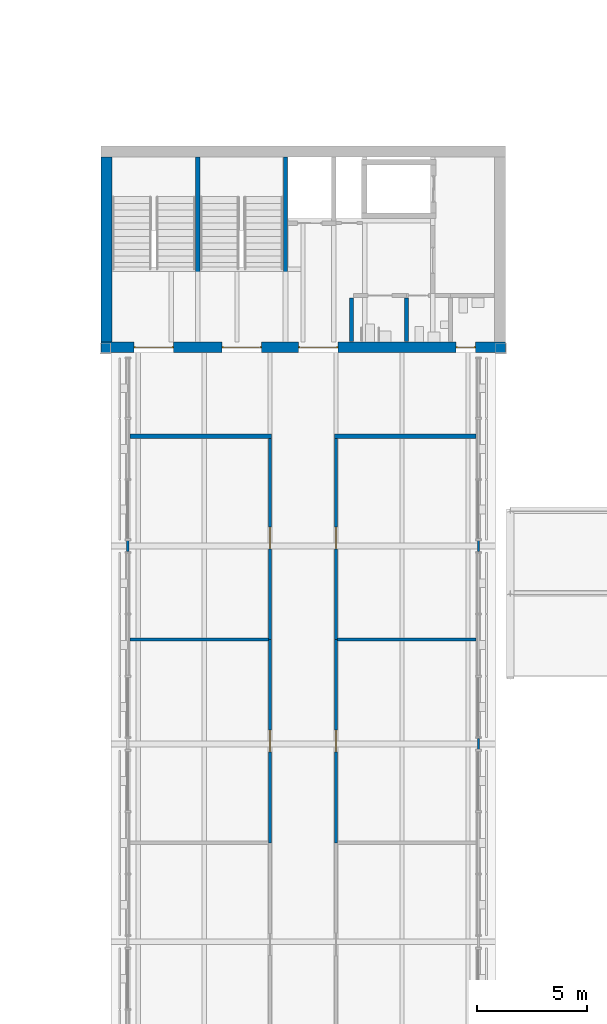
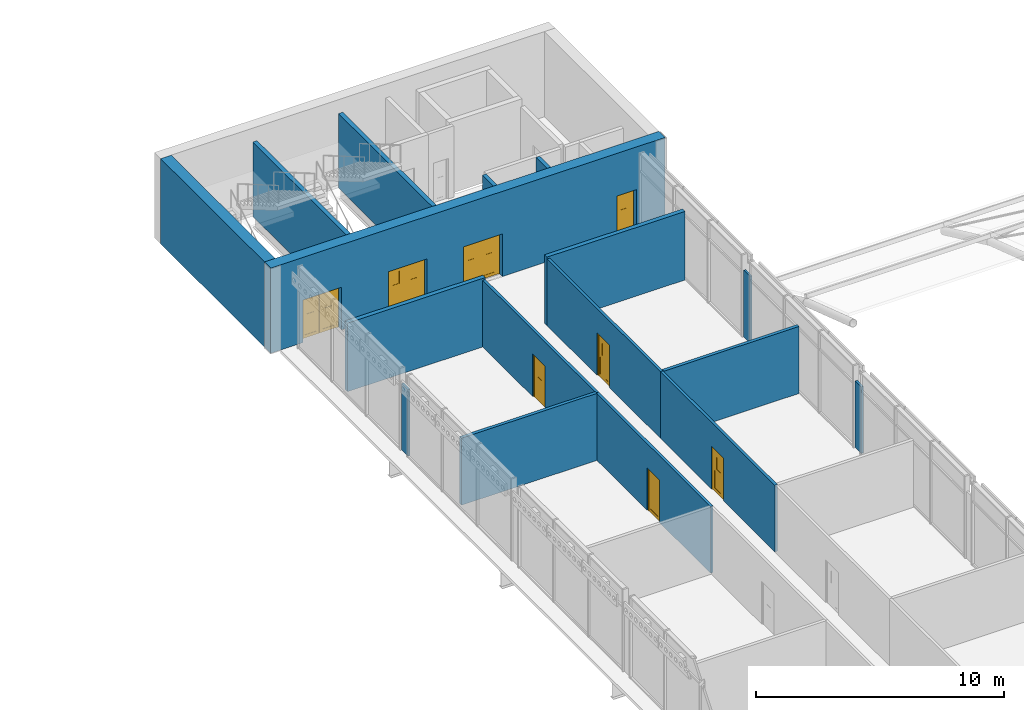
# One storey, part 24 of 54: 17 walls, 8 doors, 8 openings.
"""IFC4 building model written with IfcOpenShell, lengths in metres."""

from ifc_helpers import new_model, si_unit, direction, frame, frame_2d, origin, place, context, subcontext, project, spatial, polyline, rectangle, outline, extrude, material, layer, layer_set, type_object, element, fill, save


model = new_model("IFC4")

# Units and contexts
model_context = context("Model", 3, precision=1e-05, world=origin(), true_north=direction((0.0, 1.0)))
body_context = subcontext(model_context, "Body", "Model", "MODEL_VIEW")
ifc_project = project(units=[si_unit("LENGTHUNIT", "METRE"), si_unit("AREAUNIT", "SQUARE_METRE"), si_unit("VOLUMEUNIT", "CUBIC_METRE"), si_unit("PLANEANGLEUNIT", "RADIAN"), si_unit("MASSUNIT", "GRAM", prefix="KILO")], contexts=[model_context])

# Site, building, storey
site_placement = place(None, origin())
site = spatial("IfcSite", under=ifc_project, at=site_placement, CompositionType="ELEMENT")
building_placement = place(site_placement, origin())
building = spatial("IfcBuilding", under=site, at=building_placement, Name="Baradari Gate Terminus", CompositionType="ELEMENT")
storey_placement = place(building_placement, frame((0.0, 0.0, 15.89990234375)))
storey = spatial("IfcBuildingStorey", under=building, at=storey_placement, Name="L03", CompositionType="ELEMENT", Elevation=15.89990234375)

# Wall, openings, doors
ifc_material_1 = material(Name="Concrete C40/50", Category="concrete")
ifc_layer_1 = layer(ifc_material_1, 0.5)
ifc_layer_set_1 = layer_set([ifc_layer_1], Name="Concrete C40/50")
wall_type_1 = type_object("IfcWallType", Name="Abutment core wall CWL05 500", PredefinedType="SOLIDWALL", material=ifc_layer_set_1)
wall_1_placement = place(storey_placement, frame((71.800048828125, 81.050048828125, 0.0), z_axis=(0.0, 0.0, 1.0), x_axis=(1.0, 0.0, 0.0)))
wall_1 = element("IfcWall", 1, at=wall_1_placement, inside=storey, type_object=wall_type_1, Name="Abutment core wall GN S L03", PredefinedType="SOLIDWALL", context=body_context, shape_type="SweptSolid", body=[
    extrude(rectangle(XDim=18.39990234375, YDim=0.5, at=frame_2d((9.199951171875, 0.0))), origin(), (0.0, 0.0, 1.0), 4.2001953125),
])
opening_1_placement = place(wall_1_placement, frame((1.5, 0.0, 0.0)))
opening_1 = element("IfcOpeningElement", 2, at=opening_1_placement, cuts=wall_1, Name="Opening D03-027", PredefinedType="OPENING", context=body_context, shape_type="SweptSolid", body=[
    extrude(rectangle(XDim=1.800048828125, YDim=2.10009765625, at=frame_2d((0.89990234375, 1.050048828125))), frame((0.0, 0.260009765625, 0.0), z_axis=(0.0, -1.0, 0.0), x_axis=(1.0, 0.0, 0.0)), (0.0, 0.0, 1.0), 0.52001953125),
])
opening_2_placement = place(wall_1_placement, frame((5.5, 0.0, 0.0)))
opening_2 = element("IfcOpeningElement", 3, at=opening_2_placement, cuts=wall_1, Name="Opening D03-028", PredefinedType="OPENING", context=body_context, shape_type="SweptSolid", body=[
    extrude(rectangle(XDim=1.800048828125, YDim=2.10009765625, at=frame_2d((0.89990234375, 1.050048828125))), frame((0.0, 0.260009765625, 0.0), z_axis=(0.0, -1.0, 0.0), x_axis=(1.0, 0.0, 0.0)), (0.0, 0.0, 1.0), 0.52001953125),
])
opening_3_placement = place(wall_1_placement, frame((9.0, 0.0, 0.0)))
opening_3 = element("IfcOpeningElement", 4, at=opening_3_placement, cuts=wall_1, Name="Opening D03-029", PredefinedType="OPENING", context=body_context, shape_type="SweptSolid", body=[
    extrude(rectangle(XDim=1.800048828125, YDim=2.10009765625, at=frame_2d((0.89990234375, 1.050048828125))), frame((0.0, 0.260009765625, 0.0), z_axis=(0.0, -1.0, 0.0), x_axis=(1.0, 0.0, 0.0)), (0.0, 0.0, 1.0), 0.52001953125),
])
opening_4_placement = place(wall_1_placement, frame((16.14990234375, 0.0, 0.0)))
opening_4 = element("IfcOpeningElement", 5, at=opening_4_placement, cuts=wall_1, Name="Opening D03-034", PredefinedType="OPENING", context=body_context, shape_type="SweptSolid", body=[
    extrude(rectangle(XDim=0.89990234375, YDim=2.10009765625, at=frame_2d((0.449951171875, 1.050048828125))), frame((0.0, 0.260009765625, 0.0), z_axis=(0.0, -1.0, 0.0), x_axis=(1.0, 0.0, 0.0)), (0.0, 0.0, 1.0), 0.52001953125),
])
ifc_material_2 = material(Name="Steel S275", Category="steel")
door_type_1 = type_object("IfcDoorType", Name="Fire door FI-1800-FD90S 1800x2100 FD90S", OperationType="DOUBLE_DOOR_SINGLE_SWING", PredefinedType="DOOR", material=ifc_material_2)
door_1_placement = place(opening_1_placement, origin())
door_1 = element("IfcDoor", 6, at=door_1_placement, inside=storey, type_object=door_type_1, Name="Door Stair (Gate North) 1", OperationType="DOUBLE_DOOR_SINGLE_SWING", OverallHeight=2.1, OverallWidth=1.8, PredefinedType="DOOR", context=body_context, shape_type="SweptSolid", body=[
    extrude(outline(polyline([(0.0, 0.0), (0.070068359375, 0.0), (0.070068359375, 2.030029296875), (1.72998046875, 2.030029296875), (1.72998046875, 0.0), (1.800048828125, 0.0), (1.800048828125, 2.10009765625), (0.0, 2.10009765625), (0.0, 0.0)])), frame((0.0, 0.02490234375, 0.0), z_axis=(0.0, -1.0, 0.0), x_axis=(1.0, 0.0, 0.0)), (0.0, 0.0, 1.0), 0.050048828125),
    extrude(outline(polyline([(0.073974609375, 0.010009765625), (0.89697265625, 0.010009765625), (0.89697265625, 2.026123046875), (0.073974609375, 2.026123046875), (0.073974609375, 0.010009765625)]), holes=[polyline([(0.194091796875, 0.159912109375), (0.77685546875, 0.159912109375), (0.77685546875, 1.010009765625), (0.194091796875, 1.010009765625), (0.194091796875, 0.159912109375)]), polyline([(0.33544921875, 1.159912109375), (0.635498046875, 1.159912109375), (0.635498046875, 1.760009765625), (0.33544921875, 1.760009765625), (0.33544921875, 1.159912109375)])]), frame((0.0, 0.017333984375, 0.0), z_axis=(0.0, -1.0, 0.0), x_axis=(1.0, 0.0, 0.0)), (0.0, 0.0, 1.0), 0.034912109375),
    extrude(rectangle(XDim=0.582763671875, YDim=0.85009765625, at=frame_2d((0.4853515625, 0.5849609375))), frame((0.0, 0.008544921875, 0.0), z_axis=(0.0, -1.0, 0.0), x_axis=(1.0, 0.0, 0.0)), (0.0, 0.0, 1.0), 0.017333984375),
    extrude(rectangle(XDim=0.300048828125, YDim=0.60009765625, at=frame_2d((0.4853515625, 1.4599609375))), frame((0.0, 0.005859375, 0.0), z_axis=(0.0, -1.0, 0.0), x_axis=(1.0, 0.0, 0.0)), (0.0, 0.0, 1.0), 0.011962890625),
    extrude(outline(polyline([(0.903076171875, 0.010009765625), (1.72607421875, 0.010009765625), (1.72607421875, 2.026123046875), (0.903076171875, 2.026123046875), (0.903076171875, 0.010009765625)]), holes=[polyline([(1.023193359375, 0.159912109375), (1.60595703125, 0.159912109375), (1.60595703125, 1.010009765625), (1.023193359375, 1.010009765625), (1.023193359375, 0.159912109375)]), polyline([(1.16455078125, 1.159912109375), (1.464599609375, 1.159912109375), (1.464599609375, 1.760009765625), (1.16455078125, 1.760009765625), (1.16455078125, 1.159912109375)])]), frame((0.0, 0.017333984375, 0.0), z_axis=(0.0, -1.0, 0.0), x_axis=(1.0, 0.0, 0.0)), (0.0, 0.0, 1.0), 0.034912109375),
    extrude(rectangle(XDim=0.582763671875, YDim=0.85009765625, at=frame_2d((1.314453125, 0.5849609375))), frame((0.0, 0.008544921875, 0.0), z_axis=(0.0, -1.0, 0.0), x_axis=(1.0, 0.0, 0.0)), (0.0, 0.0, 1.0), 0.017333984375),
    extrude(rectangle(XDim=0.300048828125, YDim=0.60009765625, at=frame_2d((1.314453125, 1.4599609375))), frame((0.0, 0.005859375, 0.0), z_axis=(0.0, -1.0, 0.0), x_axis=(1.0, 0.0, 0.0)), (0.0, 0.0, 1.0), 0.011962890625),
])
fill(opening_1, door_1)
door_2_placement = place(opening_2_placement, origin())
door_2 = element("IfcDoor", 7, at=door_2_placement, inside=storey, type_object=door_type_1, Name="Door Stair (Gate North) 2", OperationType="DOUBLE_DOOR_SINGLE_SWING", OverallHeight=2.1, OverallWidth=1.8, PredefinedType="DOOR", context=body_context, shape_type="SweptSolid", body=[
    extrude(outline(polyline([(0.0, 0.0), (0.070068359375, 0.0), (0.070068359375, 2.030029296875), (1.72998046875, 2.030029296875), (1.72998046875, 0.0), (1.800048828125, 0.0), (1.800048828125, 2.10009765625), (0.0, 2.10009765625), (0.0, 0.0)])), frame((0.0, 0.02490234375, 0.0), z_axis=(0.0, -1.0, 0.0), x_axis=(1.0, 0.0, 0.0)), (0.0, 0.0, 1.0), 0.050048828125),
    extrude(outline(polyline([(0.073974609375, 0.010009765625), (0.89697265625, 0.010009765625), (0.89697265625, 2.026123046875), (0.073974609375, 2.026123046875), (0.073974609375, 0.010009765625)]), holes=[polyline([(0.194091796875, 0.159912109375), (0.77685546875, 0.159912109375), (0.77685546875, 1.010009765625), (0.194091796875, 1.010009765625), (0.194091796875, 0.159912109375)]), polyline([(0.33544921875, 1.159912109375), (0.635498046875, 1.159912109375), (0.635498046875, 1.760009765625), (0.33544921875, 1.760009765625), (0.33544921875, 1.159912109375)])]), frame((0.0, 0.017333984375, 0.0), z_axis=(0.0, -1.0, 0.0), x_axis=(1.0, 0.0, 0.0)), (0.0, 0.0, 1.0), 0.034912109375),
    extrude(rectangle(XDim=0.582763671875, YDim=0.85009765625, at=frame_2d((0.4853515625, 0.5849609375))), frame((0.0, 0.008544921875, 0.0), z_axis=(0.0, -1.0, 0.0), x_axis=(1.0, 0.0, 0.0)), (0.0, 0.0, 1.0), 0.017333984375),
    extrude(rectangle(XDim=0.300048828125, YDim=0.60009765625, at=frame_2d((0.4853515625, 1.4599609375))), frame((0.0, 0.005859375, 0.0), z_axis=(0.0, -1.0, 0.0), x_axis=(1.0, 0.0, 0.0)), (0.0, 0.0, 1.0), 0.011962890625),
    extrude(outline(polyline([(0.903076171875, 0.010009765625), (1.72607421875, 0.010009765625), (1.72607421875, 2.026123046875), (0.903076171875, 2.026123046875), (0.903076171875, 0.010009765625)]), holes=[polyline([(1.023193359375, 0.159912109375), (1.60595703125, 0.159912109375), (1.60595703125, 1.010009765625), (1.023193359375, 1.010009765625), (1.023193359375, 0.159912109375)]), polyline([(1.16455078125, 1.159912109375), (1.464599609375, 1.159912109375), (1.464599609375, 1.760009765625), (1.16455078125, 1.760009765625), (1.16455078125, 1.159912109375)])]), frame((0.0, 0.017333984375, 0.0), z_axis=(0.0, -1.0, 0.0), x_axis=(1.0, 0.0, 0.0)), (0.0, 0.0, 1.0), 0.034912109375),
    extrude(rectangle(XDim=0.582763671875, YDim=0.85009765625, at=frame_2d((1.314453125, 0.5849609375))), frame((0.0, 0.008544921875, 0.0), z_axis=(0.0, -1.0, 0.0), x_axis=(1.0, 0.0, 0.0)), (0.0, 0.0, 1.0), 0.017333984375),
    extrude(rectangle(XDim=0.300048828125, YDim=0.60009765625, at=frame_2d((1.314453125, 1.4599609375))), frame((0.0, 0.005859375, 0.0), z_axis=(0.0, -1.0, 0.0), x_axis=(1.0, 0.0, 0.0)), (0.0, 0.0, 1.0), 0.011962890625),
])
fill(opening_2, door_2)
door_3_placement = place(opening_3_placement, origin())
door_3 = element("IfcDoor", 8, at=door_3_placement, inside=storey, type_object=door_type_1, Name="Door Lift Lobby", OperationType="DOUBLE_DOOR_SINGLE_SWING", OverallHeight=2.1, OverallWidth=1.8, PredefinedType="DOOR", context=body_context, shape_type="SweptSolid", body=[
    extrude(outline(polyline([(0.0, 0.0), (0.070068359375, 0.0), (0.070068359375, 2.030029296875), (1.72998046875, 2.030029296875), (1.72998046875, 0.0), (1.800048828125, 0.0), (1.800048828125, 2.10009765625), (0.0, 2.10009765625), (0.0, 0.0)])), frame((0.0, 0.02490234375, 0.0), z_axis=(0.0, -1.0, 0.0), x_axis=(1.0, 0.0, 0.0)), (0.0, 0.0, 1.0), 0.050048828125),
    extrude(outline(polyline([(0.073974609375, 0.010009765625), (0.89697265625, 0.010009765625), (0.89697265625, 2.026123046875), (0.073974609375, 2.026123046875), (0.073974609375, 0.010009765625)]), holes=[polyline([(0.194091796875, 0.159912109375), (0.77685546875, 0.159912109375), (0.77685546875, 1.010009765625), (0.194091796875, 1.010009765625), (0.194091796875, 0.159912109375)]), polyline([(0.33544921875, 1.159912109375), (0.635498046875, 1.159912109375), (0.635498046875, 1.760009765625), (0.33544921875, 1.760009765625), (0.33544921875, 1.159912109375)])]), frame((0.0, 0.017333984375, 0.0), z_axis=(0.0, -1.0, 0.0), x_axis=(1.0, 0.0, 0.0)), (0.0, 0.0, 1.0), 0.034912109375),
    extrude(rectangle(XDim=0.582763671875, YDim=0.85009765625, at=frame_2d((0.4853515625, 0.5849609375))), frame((0.0, 0.008544921875, 0.0), z_axis=(0.0, -1.0, 0.0), x_axis=(1.0, 0.0, 0.0)), (0.0, 0.0, 1.0), 0.017333984375),
    extrude(rectangle(XDim=0.300048828125, YDim=0.60009765625, at=frame_2d((0.4853515625, 1.4599609375))), frame((0.0, 0.005859375, 0.0), z_axis=(0.0, -1.0, 0.0), x_axis=(1.0, 0.0, 0.0)), (0.0, 0.0, 1.0), 0.011962890625),
    extrude(outline(polyline([(0.903076171875, 0.010009765625), (1.72607421875, 0.010009765625), (1.72607421875, 2.026123046875), (0.903076171875, 2.026123046875), (0.903076171875, 0.010009765625)]), holes=[polyline([(1.023193359375, 0.159912109375), (1.60595703125, 0.159912109375), (1.60595703125, 1.010009765625), (1.023193359375, 1.010009765625), (1.023193359375, 0.159912109375)]), polyline([(1.16455078125, 1.159912109375), (1.464599609375, 1.159912109375), (1.464599609375, 1.760009765625), (1.16455078125, 1.760009765625), (1.16455078125, 1.159912109375)])]), frame((0.0, 0.017333984375, 0.0), z_axis=(0.0, -1.0, 0.0), x_axis=(1.0, 0.0, 0.0)), (0.0, 0.0, 1.0), 0.034912109375),
    extrude(rectangle(XDim=0.582763671875, YDim=0.85009765625, at=frame_2d((1.314453125, 0.5849609375))), frame((0.0, 0.008544921875, 0.0), z_axis=(0.0, -1.0, 0.0), x_axis=(1.0, 0.0, 0.0)), (0.0, 0.0, 1.0), 0.017333984375),
    extrude(rectangle(XDim=0.300048828125, YDim=0.60009765625, at=frame_2d((1.314453125, 1.4599609375))), frame((0.0, 0.005859375, 0.0), z_axis=(0.0, -1.0, 0.0), x_axis=(1.0, 0.0, 0.0)), (0.0, 0.0, 1.0), 0.011962890625),
])
fill(opening_3, door_3)
ifc_material_3 = material(Name="Steel S275", Category="steel")
door_type_2 = type_object("IfcDoorType", Name="Fire door FI-900-FD90S 900x2100 FD90S", OperationType="SINGLE_SWING_LEFT", PredefinedType="DOOR", material=ifc_material_3)
door_4_placement = place(opening_4_placement, origin())
door_4 = element("IfcDoor", 9, at=door_4_placement, inside=storey, type_object=door_type_2, Name="Door Female WC", OperationType="SINGLE_SWING_LEFT", OverallHeight=2.1, OverallWidth=0.9, PredefinedType="DOOR", context=body_context, shape_type="SweptSolid", body=[
    extrude(outline(polyline([(0.0, 0.0), (0.070068359375, 0.0), (0.070068359375, 2.030029296875), (0.829833984375, 2.030029296875), (0.829833984375, 0.0), (0.89990234375, 0.0), (0.89990234375, 2.10009765625), (0.0, 2.10009765625), (0.0, 0.0)])), frame((0.0, 0.02490234375, 0.0), z_axis=(0.0, -1.0, 0.0), x_axis=(1.0, 0.0, 0.0)), (0.0, 0.0, 1.0), 0.050048828125),
    extrude(outline(polyline([(0.073974609375, 0.010009765625), (0.825927734375, 0.010009765625), (0.825927734375, 2.026123046875), (0.073974609375, 2.026123046875), (0.073974609375, 0.010009765625)]), holes=[polyline([(0.194091796875, 0.159912109375), (0.705810546875, 0.159912109375), (0.705810546875, 1.010009765625), (0.194091796875, 1.010009765625), (0.194091796875, 0.159912109375)]), polyline([(0.300048828125, 1.159912109375), (0.599853515625, 1.159912109375), (0.599853515625, 1.760009765625), (0.300048828125, 1.760009765625), (0.300048828125, 1.159912109375)])]), frame((0.0, 0.017333984375, 0.0), z_axis=(0.0, -1.0, 0.0), x_axis=(1.0, 0.0, 0.0)), (0.0, 0.0, 1.0), 0.034912109375),
    extrude(rectangle(XDim=0.51171875, YDim=0.85009765625, at=frame_2d((0.449951171875, 0.5849609375))), frame((0.0, 0.008544921875, 0.0), z_axis=(0.0, -1.0, 0.0), x_axis=(1.0, 0.0, 0.0)), (0.0, 0.0, 1.0), 0.017333984375),
    extrude(rectangle(XDim=0.2998046875, YDim=0.60009765625, at=frame_2d((0.449951171875, 1.4599609375))), frame((0.0, 0.005859375, 0.0), z_axis=(0.0, -1.0, 0.0), x_axis=(1.0, 0.0, 0.0)), (0.0, 0.0, 1.0), 0.011962890625),
])
fill(opening_4, door_4)

# Wall
wall_2_placement = place(storey_placement, frame((72.050048828125, 81.300048828125, 0.0), z_axis=(0.0, 0.0, 1.0), x_axis=(0.0, 1.0, 0.0)))
element("IfcWall", 10, at=wall_2_placement, inside=storey, type_object=wall_type_1, Name="Abutment core wall GN W L03", PredefinedType="SOLIDWALL", context=body_context, shape_type="SweptSolid", body=[
    extrude(rectangle(XDim=8.39990234375, YDim=0.5, at=frame_2d((4.199951171875, 0.0))), origin(), (0.0, 0.0, 1.0), 4.2001953125),
])

# Wall, opening, door
ifc_material_4 = material(Name="Gypsum board")
ifc_layer_2 = layer(ifc_material_4, 0.125)
ifc_layer_set_2 = layer_set([ifc_layer_2], Name="Gypsum board")
wall_type_2 = type_object("IfcWallType", Name="Corridor partition PT-5 125 EI 30", PredefinedType="PARTITIONING", material=ifc_layer_set_2)
wall_3_placement = place(storey_placement, frame((79.5, 58.5, 0.0), z_axis=(0.0, 0.0, 1.0), x_axis=(0.0, 1.0, 0.0)))
wall_3 = element("IfcWall", 11, at=wall_3_placement, inside=storey, type_object=wall_type_2, Name="PT-5 partition Corridor (Gate Spine) / Gate Office 3.03", PredefinedType="PARTITIONING", context=body_context, shape_type="SweptSolid", body=[
    extrude(rectangle(XDim=9.25, YDim=0.125, at=frame_2d((4.625, 0.0))), origin(), (0.0, 0.0, 1.0), 3.287109375),
])
opening_5_placement = place(wall_3_placement, frame((4.125, 0.0, 0.0)))
opening_5 = element("IfcOpeningElement", 12, at=opening_5_placement, cuts=wall_3, Name="Opening D03-045", PredefinedType="OPENING", context=body_context, shape_type="SweptSolid", body=[
    extrude(rectangle(XDim=1.0, YDim=2.10009765625, at=frame_2d((0.5, 1.050048828125))), frame((0.0, 0.072509765625, 0.0), z_axis=(0.0, -1.0, 0.0), x_axis=(1.0, 0.0, 0.0)), (0.0, 0.0, 1.0), 0.14501953125),
])
ifc_material_5 = material(Name="Steel S275", Category="steel")
door_type_3 = type_object("IfcDoorType", Name="Fire door FI-1000-FD30S 1000x2100 FD30S", OperationType="SINGLE_SWING_LEFT", PredefinedType="DOOR", material=ifc_material_5)
door_5_placement = place(opening_5_placement, origin())
door_5 = element("IfcDoor", 13, at=door_5_placement, inside=storey, type_object=door_type_3, Name="Door Gate Office 3.03", OperationType="SINGLE_SWING_LEFT", OverallHeight=2.1, OverallWidth=1.0, PredefinedType="DOOR", context=body_context, shape_type="SweptSolid", body=[
    extrude(outline(polyline([(0.0, 0.0), (0.070068359375, 0.0), (0.070068359375, 2.030029296875), (0.929931640625, 2.030029296875), (0.929931640625, 0.0), (1.0, 0.0), (1.0, 2.10009765625), (0.0, 2.10009765625), (0.0, 0.0)])), frame((0.0, 0.02490234375, 0.0), z_axis=(0.0, -1.0, 0.0), x_axis=(1.0, 0.0, 0.0)), (0.0, 0.0, 1.0), 0.050048828125),
    extrude(outline(polyline([(0.073974609375, 0.010009765625), (0.926025390625, 0.010009765625), (0.926025390625, 2.026123046875), (0.073974609375, 2.026123046875), (0.073974609375, 0.010009765625)]), holes=[polyline([(0.194091796875, 0.159912109375), (0.805908203125, 0.159912109375), (0.805908203125, 1.010009765625), (0.194091796875, 1.010009765625), (0.194091796875, 0.159912109375)]), polyline([(0.35009765625, 1.159912109375), (0.64990234375, 1.159912109375), (0.64990234375, 1.760009765625), (0.35009765625, 1.760009765625), (0.35009765625, 1.159912109375)])]), frame((0.0, 0.017333984375, 0.0), z_axis=(0.0, -1.0, 0.0), x_axis=(1.0, 0.0, 0.0)), (0.0, 0.0, 1.0), 0.034912109375),
    extrude(rectangle(XDim=0.61181640625, YDim=0.85009765625, at=frame_2d((0.5, 0.5849609375))), frame((0.0, 0.008544921875, 0.0), z_axis=(0.0, -1.0, 0.0), x_axis=(1.0, 0.0, 0.0)), (0.0, 0.0, 1.0), 0.017333984375),
    extrude(rectangle(XDim=0.2998046875, YDim=0.60009765625, at=frame_2d((0.5, 1.4599609375))), frame((0.0, 0.005859375, 0.0), z_axis=(0.0, -1.0, 0.0), x_axis=(1.0, 0.0, 0.0)), (0.0, 0.0, 1.0), 0.011962890625),
])
fill(opening_5, door_5)

wall_4_placement = place(storey_placement, frame((79.5, 67.75, 0.0), z_axis=(0.0, 0.0, 1.0), x_axis=(0.0, 1.0, 0.0)))
wall_4 = element("IfcWall", 14, at=wall_4_placement, inside=storey, type_object=wall_type_2, Name="PT-5 partition Corridor (Gate Spine) / Gate Office 3.04", PredefinedType="PARTITIONING", context=body_context, shape_type="SweptSolid", body=[
    extrude(rectangle(XDim=9.14990234375, YDim=0.125, at=frame_2d((4.574951171875, 0.0))), origin(), (0.0, 0.0, 1.0), 3.287109375),
])
opening_6_placement = place(wall_4_placement, frame((4.125, 0.0, 0.0)))
opening_6 = element("IfcOpeningElement", 15, at=opening_6_placement, cuts=wall_4, Name="Opening D03-046", PredefinedType="OPENING", context=body_context, shape_type="SweptSolid", body=[
    extrude(rectangle(XDim=1.0, YDim=2.10009765625, at=frame_2d((0.5, 1.050048828125))), frame((0.0, 0.072509765625, 0.0), z_axis=(0.0, -1.0, 0.0), x_axis=(1.0, 0.0, 0.0)), (0.0, 0.0, 1.0), 0.14501953125),
])
door_6_placement = place(opening_6_placement, origin())
door_6 = element("IfcDoor", 16, at=door_6_placement, inside=storey, type_object=door_type_3, Name="Door Gate Office 3.04", OperationType="SINGLE_SWING_LEFT", OverallHeight=2.1, OverallWidth=1.0, PredefinedType="DOOR", context=body_context, shape_type="SweptSolid", body=[
    extrude(outline(polyline([(0.0, 0.0), (0.070068359375, 0.0), (0.070068359375, 2.030029296875), (0.929931640625, 2.030029296875), (0.929931640625, 0.0), (1.0, 0.0), (1.0, 2.10009765625), (0.0, 2.10009765625), (0.0, 0.0)])), frame((0.0, 0.02490234375, 0.0), z_axis=(0.0, -1.0, 0.0), x_axis=(1.0, 0.0, 0.0)), (0.0, 0.0, 1.0), 0.050048828125),
    extrude(outline(polyline([(0.073974609375, 0.010009765625), (0.926025390625, 0.010009765625), (0.926025390625, 2.026123046875), (0.073974609375, 2.026123046875), (0.073974609375, 0.010009765625)]), holes=[polyline([(0.194091796875, 0.159912109375), (0.805908203125, 0.159912109375), (0.805908203125, 1.010009765625), (0.194091796875, 1.010009765625), (0.194091796875, 0.159912109375)]), polyline([(0.35009765625, 1.159912109375), (0.64990234375, 1.159912109375), (0.64990234375, 1.760009765625), (0.35009765625, 1.760009765625), (0.35009765625, 1.159912109375)])]), frame((0.0, 0.017333984375, 0.0), z_axis=(0.0, -1.0, 0.0), x_axis=(1.0, 0.0, 0.0)), (0.0, 0.0, 1.0), 0.034912109375),
    extrude(rectangle(XDim=0.61181640625, YDim=0.85009765625, at=frame_2d((0.5, 0.5849609375))), frame((0.0, 0.008544921875, 0.0), z_axis=(0.0, -1.0, 0.0), x_axis=(1.0, 0.0, 0.0)), (0.0, 0.0, 1.0), 0.017333984375),
    extrude(rectangle(XDim=0.2998046875, YDim=0.60009765625, at=frame_2d((0.5, 1.4599609375))), frame((0.0, 0.005859375, 0.0), z_axis=(0.0, -1.0, 0.0), x_axis=(1.0, 0.0, 0.0)), (0.0, 0.0, 1.0), 0.011962890625),
])
fill(opening_6, door_6)

wall_5_placement = place(storey_placement, frame((82.5, 67.75, 0.0), z_axis=(0.0, 0.0, 1.0), x_axis=(0.0, -1.0, 0.0)))
wall_5 = element("IfcWall", 17, at=wall_5_placement, inside=storey, type_object=wall_type_2, Name="PT-5 partition Corridor (Gate Spine) / Gate Office 3.07", PredefinedType="PARTITIONING", context=body_context, shape_type="SweptSolid", body=[
    extrude(rectangle(XDim=9.25, YDim=0.125, at=frame_2d((4.625, 0.0))), origin(), (0.0, 0.0, 1.0), 3.287109375),
])
opening_7_placement = place(wall_5_placement, frame((4.125, 0.0, 0.0)))
opening_7 = element("IfcOpeningElement", 18, at=opening_7_placement, cuts=wall_5, Name="Opening D03-049", PredefinedType="OPENING", context=body_context, shape_type="SweptSolid", body=[
    extrude(rectangle(XDim=1.0, YDim=2.10009765625, at=frame_2d((0.5, 1.050048828125))), frame((0.0, 0.072509765625, 0.0), z_axis=(0.0, -1.0, 0.0), x_axis=(1.0, 0.0, 0.0)), (0.0, 0.0, 1.0), 0.14501953125),
])
door_7_placement = place(opening_7_placement, origin())
door_7 = element("IfcDoor", 19, at=door_7_placement, inside=storey, type_object=door_type_3, Name="Door Gate Office 3.07", OperationType="SINGLE_SWING_LEFT", OverallHeight=2.1, OverallWidth=1.0, PredefinedType="DOOR", context=body_context, shape_type="SweptSolid", body=[
    extrude(outline(polyline([(0.0, 0.0), (0.070068359375, 0.0), (0.070068359375, 2.030029296875), (0.929931640625, 2.030029296875), (0.929931640625, 0.0), (1.0, 0.0), (1.0, 2.10009765625), (0.0, 2.10009765625), (0.0, 0.0)])), frame((0.0, 0.02490234375, 0.0), z_axis=(0.0, -1.0, 0.0), x_axis=(1.0, 0.0, 0.0)), (0.0, 0.0, 1.0), 0.050048828125),
    extrude(outline(polyline([(0.073974609375, 0.010009765625), (0.926025390625, 0.010009765625), (0.926025390625, 2.026123046875), (0.073974609375, 2.026123046875), (0.073974609375, 0.010009765625)]), holes=[polyline([(0.194091796875, 0.159912109375), (0.805908203125, 0.159912109375), (0.805908203125, 1.010009765625), (0.194091796875, 1.010009765625), (0.194091796875, 0.159912109375)]), polyline([(0.35009765625, 1.159912109375), (0.64990234375, 1.159912109375), (0.64990234375, 1.760009765625), (0.35009765625, 1.760009765625), (0.35009765625, 1.159912109375)])]), frame((0.0, 0.017333984375, 0.0), z_axis=(0.0, -1.0, 0.0), x_axis=(1.0, 0.0, 0.0)), (0.0, 0.0, 1.0), 0.034912109375),
    extrude(rectangle(XDim=0.61181640625, YDim=0.85009765625, at=frame_2d((0.5, 0.5849609375))), frame((0.0, 0.008544921875, 0.0), z_axis=(0.0, -1.0, 0.0), x_axis=(1.0, 0.0, 0.0)), (0.0, 0.0, 1.0), 0.017333984375),
    extrude(rectangle(XDim=0.2998046875, YDim=0.60009765625, at=frame_2d((0.5, 1.4599609375))), frame((0.0, 0.005859375, 0.0), z_axis=(0.0, -1.0, 0.0), x_axis=(1.0, 0.0, 0.0)), (0.0, 0.0, 1.0), 0.011962890625),
])
fill(opening_7, door_7)

wall_6_placement = place(storey_placement, frame((82.5, 76.89990234375, 0.0), z_axis=(0.0, 0.0, 1.0), x_axis=(0.0, -1.0, 0.0)))
wall_6 = element("IfcWall", 20, at=wall_6_placement, inside=storey, type_object=wall_type_2, Name="PT-5 partition Corridor (Gate Spine) / Gate Office 3.08", PredefinedType="PARTITIONING", context=body_context, shape_type="SweptSolid", body=[
    extrude(rectangle(XDim=9.14990234375, YDim=0.125, at=frame_2d((4.574951171875, 0.0))), origin(), (0.0, 0.0, 1.0), 3.287109375),
])
opening_8_placement = place(wall_6_placement, frame((4.02490234375, 0.0, 0.0)))
opening_8 = element("IfcOpeningElement", 21, at=opening_8_placement, cuts=wall_6, Name="Opening D03-050", PredefinedType="OPENING", context=body_context, shape_type="SweptSolid", body=[
    extrude(rectangle(XDim=1.0, YDim=2.10009765625, at=frame_2d((0.5, 1.050048828125))), frame((0.0, 0.072509765625, 0.0), z_axis=(0.0, -1.0, 0.0), x_axis=(1.0, 0.0, 0.0)), (0.0, 0.0, 1.0), 0.14501953125),
])
door_8_placement = place(opening_8_placement, origin())
door_8 = element("IfcDoor", 22, at=door_8_placement, inside=storey, type_object=door_type_3, Name="Door Gate Office 3.08", OperationType="SINGLE_SWING_LEFT", OverallHeight=2.1, OverallWidth=1.0, PredefinedType="DOOR", context=body_context, shape_type="SweptSolid", body=[
    extrude(outline(polyline([(0.0, 0.0), (0.070068359375, 0.0), (0.070068359375, 2.030029296875), (0.929931640625, 2.030029296875), (0.929931640625, 0.0), (1.0, 0.0), (1.0, 2.10009765625), (0.0, 2.10009765625), (0.0, 0.0)])), frame((0.0, 0.02490234375, 0.0), z_axis=(0.0, -1.0, 0.0), x_axis=(1.0, 0.0, 0.0)), (0.0, 0.0, 1.0), 0.050048828125),
    extrude(outline(polyline([(0.073974609375, 0.010009765625), (0.926025390625, 0.010009765625), (0.926025390625, 2.026123046875), (0.073974609375, 2.026123046875), (0.073974609375, 0.010009765625)]), holes=[polyline([(0.194091796875, 0.159912109375), (0.805908203125, 0.159912109375), (0.805908203125, 1.010009765625), (0.194091796875, 1.010009765625), (0.194091796875, 0.159912109375)]), polyline([(0.35009765625, 1.159912109375), (0.64990234375, 1.159912109375), (0.64990234375, 1.760009765625), (0.35009765625, 1.760009765625), (0.35009765625, 1.159912109375)])]), frame((0.0, 0.017333984375, 0.0), z_axis=(0.0, -1.0, 0.0), x_axis=(1.0, 0.0, 0.0)), (0.0, 0.0, 1.0), 0.034912109375),
    extrude(rectangle(XDim=0.61181640625, YDim=0.85009765625, at=frame_2d((0.5, 0.5849609375))), frame((0.0, 0.008544921875, 0.0), z_axis=(0.0, -1.0, 0.0), x_axis=(1.0, 0.0, 0.0)), (0.0, 0.0, 1.0), 0.017333984375),
    extrude(rectangle(XDim=0.2998046875, YDim=0.60009765625, at=frame_2d((0.5, 1.4599609375))), frame((0.0, 0.005859375, 0.0), z_axis=(0.0, -1.0, 0.0), x_axis=(1.0, 0.0, 0.0)), (0.0, 0.0, 1.0), 0.011962890625),
])
fill(opening_8, door_8)

# Walls
ifc_material_6 = material(Name="Blockwork wall, plastered, fire rated", Category="masonry")
ifc_layer_3 = layer(ifc_material_6, 0.199951171875)
ifc_layer_set_3 = layer_set([ifc_layer_3], Name="Blockwork wall, plastered, fire rated")
wall_type_3 = type_object("IfcWallType", Name="Lobby partition PT-4 200 EI 60", PredefinedType="PARTITIONING", material=ifc_layer_set_3)
for number, where, z_axis, x_axis, name in (
    (23, (79.5625, 77.0, 0.0), (0.0, 0.0, 1.0), (-1.0, 0.0, 0.0), "PT-4 partition Lobby (Gate North) / Gate Office 3.04"),
    (24, (88.875, 77.0, 0.0), (0.0, 0.0, 1.0), (-1.0, 0.0, 0.0), "PT-4 partition Lobby (Gate North) / Gate Office 3.08"),
):
    element("IfcWall", number, at=place(storey_placement, frame(where, z_axis=z_axis, x_axis=x_axis)), inside=storey, type_object=wall_type_3, Name=name, PredefinedType="PARTITIONING", context=body_context, shape_type="SweptSolid", body=[
        extrude(rectangle(XDim=6.4375, YDim=0.199951171875, at=frame_2d((3.21875, 0.0))), origin(), (0.0, 0.0, 1.0), 3.382080078125),
    ])
ifc_material_7 = material(Name="Blockwork wall, plastered", Category="masonry")
ifc_layer_4 = layer(ifc_material_7, 0.14990234375)
ifc_layer_set_4 = layer_set([ifc_layer_4], Name="Blockwork wall, plastered")
wall_type_4 = type_object("IfcWallType", Name="Partition PT-2 150 EI 60", PredefinedType="PARTITIONING", material=ifc_layer_set_4)
for number, where, z_axis, x_axis, name in (
    (25, (73.125, 67.75, 0.0), (0.0, 0.0, 1.0), (1.0, 0.0, 0.0), "PT-2 partition Gate Office 3.03 / Gate Office 3.04"),
    (26, (82.5625, 67.75, 0.0), (0.0, 0.0, 1.0), (1.0, 0.0, 0.0), "PT-2 partition Gate Office 3.07 / Gate Office 3.08"),
):
    element("IfcWall", number, at=place(storey_placement, frame(where, z_axis=z_axis, x_axis=x_axis)), inside=storey, type_object=wall_type_4, Name=name, PredefinedType="PARTITIONING", context=body_context, shape_type="SweptSolid", body=[
        extrude(rectangle(XDim=6.3125, YDim=0.14990234375, at=frame_2d((3.15625, 0.0))), origin(), (0.0, 0.0, 1.0), 3.30712890625),
    ])
ifc_material_8 = material(Name="Concrete C40/50 precast", Category="concrete")
ifc_layer_5 = layer(ifc_material_8, 0.06)
ifc_material_9 = material(Name="Reconstituted stone", Category="masonry")
ifc_layer_6 = layer(ifc_material_9, 0.04)
ifc_layer_set_5 = layer_set([ifc_layer_5, ifc_layer_6], Name="Concrete C40/50 precast")
wall_type_5 = type_object("IfcWallType", Name="Precast cover panel WP-3 100", PredefinedType="SOLIDWALL", material=ifc_layer_set_5)
for number, where, z_axis, x_axis, name in (
    (27, (73.02490234375, 71.75, 0.0), (0.0, 0.0, 1.0), (0.0, 1.0, 0.0), "Post cover panel GW L03 5"),
    (28, (88.97509765625, 62.75, 0.0), (0.0, 0.0, 1.0), (0.0, 1.0, 0.0), "Post cover panel GE L03 4"),
    (29, (88.97509765625, 71.75, 0.0), (0.0, 0.0, 1.0), (0.0, 1.0, 0.0), "Post cover panel GE L03 5"),
):
    element("IfcWall", number, at=place(storey_placement, frame(where, z_axis=z_axis, x_axis=x_axis)), inside=storey, type_object=wall_type_5, Name=name, PredefinedType="SOLIDWALL", context=body_context, shape_type="SweptSolid", body=[
        extrude(rectangle(XDim=0.5, YDim=0.10009765625, at=frame_2d((0.25, 0.0))), origin(), (0.0, 0.0, 1.0), 3.287841796875),
    ])
ifc_material_10 = material(Name="Concrete C40/50", Category="concrete")
ifc_layer_7 = layer(ifc_material_10, 0.199951171875)
ifc_layer_set_6 = layer_set([ifc_layer_7], Name="Concrete C40/50")
wall_type_6 = type_object("IfcWallType", Name="Stair enclosure wall SE-4 200 EI 120", PredefinedType="SOLIDWALL", material=ifc_layer_set_6)
for number, where, z_axis, x_axis, name in (
    (30, (76.199951171875, 81.302001953125, -0.14990234375), (0.0, 0.0, 1.0), (0.0, 1.0, 0.0), "Stair enclosure wall SE-4 ST-GN1 L03 E"),
    (31, (80.199951171875, 81.302001953125, -0.14990234375), (0.0, 0.0, 1.0), (0.0, 1.0, 0.0), "Stair enclosure wall SE-4 ST-GN2 L03 E"),
):
    element("IfcWall", number, at=place(storey_placement, frame(where, z_axis=z_axis, x_axis=x_axis)), inside=storey, type_object=wall_type_6, Name=name, PredefinedType="SOLIDWALL", context=body_context, shape_type="SweptSolid", body=[
        extrude(rectangle(XDim=8.39599609375, YDim=0.199951171875, at=frame_2d((4.197998046875, 0.0))), origin(), (0.0, 0.0, 1.0), 3.666015625),
    ])
ifc_material_11 = material(Name="Blockwork wall, tiled both faces", Category="masonry")
ifc_layer_8 = layer(ifc_material_11, 0.175048828125)
ifc_layer_set_7 = layer_set([ifc_layer_8], Name="Blockwork wall, tiled both faces")
wall_type_7 = type_object("IfcWallType", Name="WC wet wall PT-6 175 EI 60", PredefinedType="PARTITIONING", material=ifc_layer_set_7)
for number, where, z_axis, x_axis, name in (
    (32, (83.199951171875, 83.300048828125, 0.0), (0.0, 0.0, 1.0), (0.0, -1.0, 0.0), "PT-6 partition Lift Lobby / Accessible WC"),
    (33, (85.699951171875, 83.300048828125, 0.0), (0.0, 0.0, 1.0), (0.0, -1.0, 0.0), "PT-6 partition Accessible WC / Male WC"),
):
    element("IfcWall", number, at=place(storey_placement, frame(where, z_axis=z_axis, x_axis=x_axis)), inside=storey, type_object=wall_type_7, Name=name, PredefinedType="PARTITIONING", context=body_context, shape_type="SweptSolid", body=[
        extrude(rectangle(XDim=1.998046875, YDim=0.175048828125, at=frame_2d((0.9990234375, 0.0))), origin(), (0.0, 0.0, 1.0), 3.30712890625),
    ])

save(model, "model.ifc")
